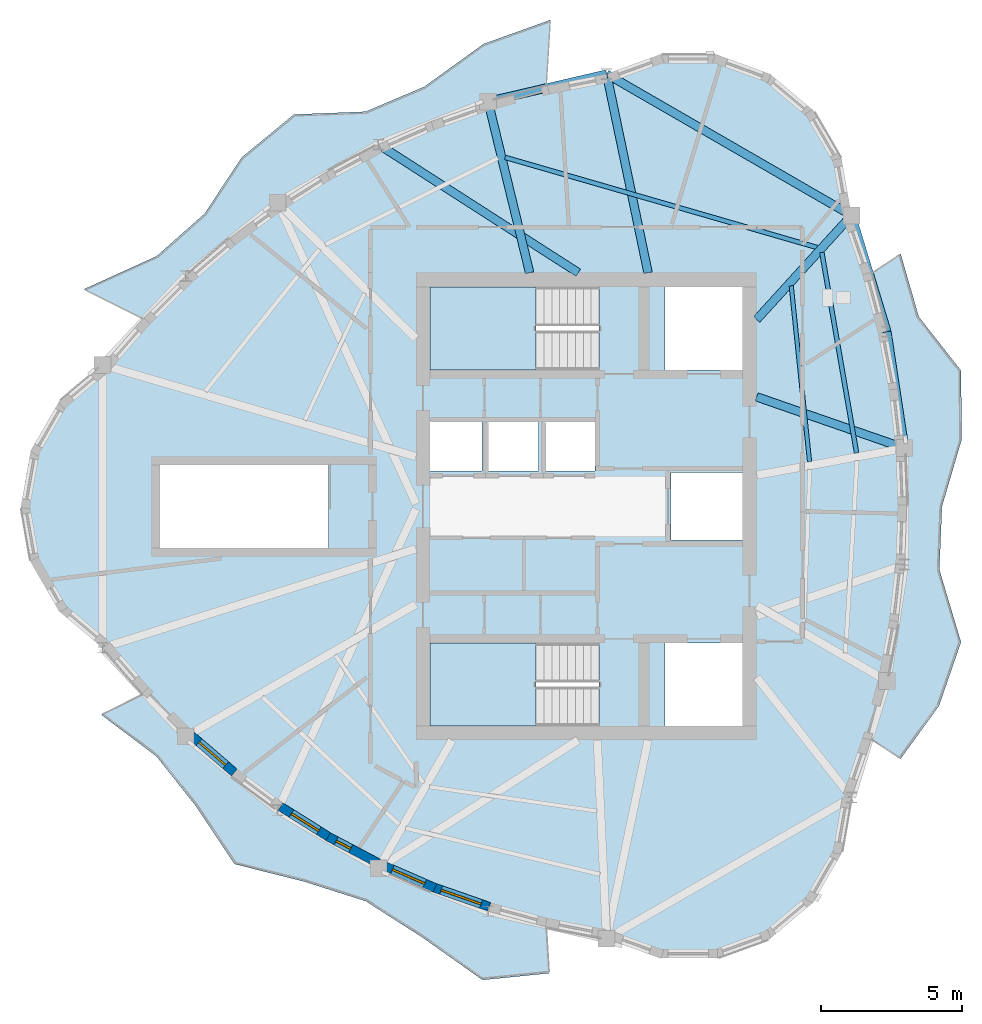
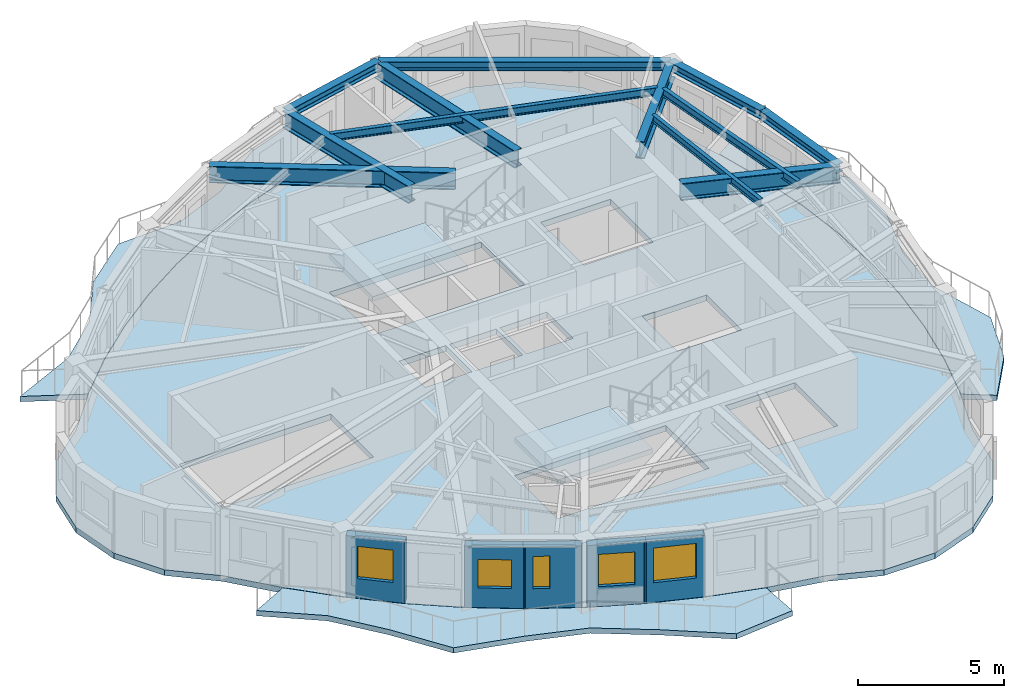
# One storey, part 2 of 12: 12 beams, 6 slabs, 5 walls, 5 windows, 5 openings, 2 elements without a shape of their own.
"""IFC4 building model written with IfcOpenShell, lengths in metres."""

from ifc_helpers import new_model, si_unit, direction, frame, frame_2d, origin, origin_2d, place, context, subcontext, project, spatial, polyline, rectangle, i_section, outline, extrude, source, transform, mapped, material, layer, layer_set, material_profile, profile_set, type_object, element, fill, aggregate, save


model = new_model("IFC4")

# Units and contexts
model_context = context("Model", 3, precision=1e-05, world=origin(), true_north=direction((0.0, 1.0)))
body_context = subcontext(model_context, "Body", "Model", "MODEL_VIEW")
ifc_project = project(units=[si_unit("LENGTHUNIT", "METRE"), si_unit("AREAUNIT", "SQUARE_METRE"), si_unit("VOLUMEUNIT", "CUBIC_METRE"), si_unit("PLANEANGLEUNIT", "RADIAN"), si_unit("MASSUNIT", "GRAM", prefix="KILO")], contexts=[model_context])

# Site, building, storey
site_placement = place(None, origin())
site = spatial("IfcSite", under=ifc_project, at=site_placement, CompositionType="ELEMENT")
building_placement = place(site_placement, origin())
building = spatial("IfcBuilding", under=site, at=building_placement, Name="Qafzar Sky-Pleat Residences", CompositionType="ELEMENT")
storey_placement = place(building_placement, frame((0.0, 0.0, 250.0)))
storey = spatial("IfcBuildingStorey", under=building, at=storey_placement, Name="L75", CompositionType="ELEMENT", Elevation=250.0)

# Beams
ifc_material_1 = material(Name="Steel S355", Category="steel")
ifc_material_profile_1 = material_profile(ifc_material_1, i_section(OverallWidth=0.300048828125, OverallDepth=0.360107421875, WebThickness=0.012451171875, FlangeThickness=0.0224609375, FilletRadius=0.027099609375, at=origin_2d()), Name="HEB 360")
ifc_profile_set_1 = profile_set([ifc_material_profile_1], Name="Steel S355")
beam_type_1 = type_object("IfcBeamType", Name="BM-SPAN-HEB360", PredefinedType="SPANDREL", material=ifc_profile_set_1)
shared_shape_1 = source(origin(), body_context, "Body", "SweptSolid", [
    extrude(i_section(OverallWidth=0.300048828125, OverallDepth=0.360107421875, WebThickness=0.012451171875, FlangeThickness=0.0224609375, FilletRadius=0.027099609375, at=origin_2d()), origin(), (0.0, 0.0, 1.0), 4.181884765625),
])
beam_1_placement = place(storey_placement, frame((41.65283203125, 28.067138671875, 2.76806640625), z_axis=(-0.150267100835, 0.988645436143, 0.0), x_axis=(-0.988645436143, -0.150267100835, 0.0)))
element("IfcBeam", 1, at=beam_1_placement, inside=storey, type_object=beam_type_1, Name="L75 Perimeter Spandrel Beam 11", PredefinedType="SPANDREL", context=body_context, shape_type="MappedRepresentation", body=[
    mapped(shared_shape_1, transform((0.0, 0.0, 0.0), x_axis=(1.0, 0.0, 0.0), y_axis=(0.0, 1.0, 0.0), z_axis=(0.0, 0.0, 1.0), scale=1.0)),
])
shared_shape_2 = source(origin(), body_context, "Body", "SweptSolid", [
    extrude(i_section(OverallWidth=0.300048828125, OverallDepth=0.360107421875, WebThickness=0.012451171875, FlangeThickness=0.0224609375, FilletRadius=0.027099609375, at=origin_2d()), origin(), (0.0, 0.0, 1.0), 4.321044921875),
])
for number, where, z_axis, x_axis, name in (
    (2, (41.0244140625, 32.20166015625, 2.76806640625), (-0.290860334904, 0.956765522779, 0.0), (-0.956765522779, -0.290860334904, 0.0), "L75 Perimeter Spandrel Beam 12"),
    (3, (31.0673828125, 41.35888671875, 2.76806640625), (-0.974008896714, -0.226509755028, 0.0), (0.226509755028, -0.974008896714, 0.0), "L75 Perimeter Spandrel Beam 14"),
):
    element("IfcBeam", number, at=place(storey_placement, frame(where, z_axis=z_axis, x_axis=x_axis)), inside=storey, type_object=beam_type_1, Name=name, PredefinedType="SPANDREL", context=body_context, shape_type="MappedRepresentation", body=[
        mapped(shared_shape_2, transform((0.0, 0.0, 0.0), x_axis=(1.0, 0.0, 0.0), y_axis=(0.0, 1.0, 0.0), z_axis=(0.0, 0.0, 1.0), scale=1.0)),
    ])
shared_shape_3 = source(origin(), body_context, "Body", "SweptSolid", [
    extrude(i_section(OverallWidth=0.300048828125, OverallDepth=0.360107421875, WebThickness=0.012451171875, FlangeThickness=0.0224609375, FilletRadius=0.027099609375, at=origin_2d()), origin(), (0.0, 0.0, 1.0), 10.046142578125),
])
beam_2_placement = place(storey_placement, frame((39.767578125, 36.3359375, 2.76806640625), z_axis=(-0.866030183273, 0.499991721592, 0.0), x_axis=(-0.499991721592, -0.866030183273, 0.0)))
element("IfcBeam", 4, at=beam_2_placement, inside=storey, type_object=beam_type_1, Name="L75 Perimeter Spandrel Beam 13", PredefinedType="SPANDREL", context=body_context, shape_type="MappedRepresentation", body=[
    mapped(shared_shape_3, transform((0.0, 0.0, 0.0), x_axis=(1.0, 0.0, 0.0), y_axis=(0.0, 1.0, 0.0), z_axis=(0.0, 0.0, 1.0), scale=1.0)),
])
ifc_material_profile_2 = material_profile(ifc_material_1, i_section(OverallWidth=0.159912109375, OverallDepth=0.330078125, WebThickness=0.007568359375, FlangeThickness=0.011474609375, FilletRadius=0.01806640625, at=origin_2d()), Name="IPE 330")
ifc_profile_set_2 = profile_set([ifc_material_profile_2], Name="Steel S355")
beam_type_2 = type_object("IfcBeamType", Name="BM-JST-IPE330", PredefinedType="JOIST", material=ifc_profile_set_2)
shared_shape_4 = source(origin(), body_context, "Body", "SweptSolid", [
    extrude(i_section(OverallWidth=0.159912109375, OverallDepth=0.330078125, WebThickness=0.007568359375, FlangeThickness=0.011474609375, FilletRadius=0.01806640625, at=origin_2d()), origin(), (0.0, 0.0, 1.0), 7.23388671875),
])
beam_3_placement = place(storey_placement, frame((39.94873046875, 27.892822265625, 2.782958984375), z_axis=(-0.170842643225, 0.985298326019, 0.0), x_axis=(-0.985298326019, -0.170842643225, 0.0)))
element("IfcBeam", 5, at=beam_3_placement, inside=storey, type_object=beam_type_2, Name="L75 Outer Secondary Floor Joist 6", PredefinedType="JOIST", context=body_context, shape_type="MappedRepresentation", body=[
    mapped(shared_shape_4, transform((0.0, 0.0, 0.0), x_axis=(1.0, 0.0, 0.0), y_axis=(0.0, 1.0, 0.0), z_axis=(0.0, 0.0, 1.0), scale=1.0)),
])
shared_shape_5 = source(origin(), body_context, "Body", "SweptSolid", [
    extrude(i_section(OverallWidth=0.159912109375, OverallDepth=0.330078125, WebThickness=0.007568359375, FlangeThickness=0.011474609375, FilletRadius=0.01806640625, at=origin_2d()), origin(), (0.0, 0.0, 1.0), 11.553466796875),
])
beam_4_placement = place(storey_placement, frame((38.560302734375, 35.19091796875, 2.782958984375), z_axis=(-0.960720067454, 0.277519282198, 0.0), x_axis=(-0.277519282198, -0.960720067454, 0.0)))
element("IfcBeam", 6, at=beam_4_placement, inside=storey, type_object=beam_type_2, Name="L75 Outer Secondary Floor Joist 7", PredefinedType="JOIST", context=body_context, shape_type="MappedRepresentation", body=[
    mapped(shared_shape_5, transform((0.0, 0.0, 0.0), x_axis=(1.0, 0.0, 0.0), y_axis=(0.0, 1.0, 0.0), z_axis=(0.0, 0.0, 1.0), scale=1.0)),
])
ifc_material_profile_3 = material_profile(ifc_material_1, i_section(OverallWidth=0.14990234375, OverallDepth=0.300048828125, WebThickness=0.007080078125, FlangeThickness=0.0107421875, FilletRadius=0.014892578125, at=origin_2d()), Name="IPE 300")
ifc_profile_set_3 = profile_set([ifc_material_profile_3], Name="Steel S355")
beam_type_3 = type_object("IfcBeamType", Name="BM-JST-IPE300", PredefinedType="JOIST", material=ifc_profile_set_3)
shared_shape_6 = source(origin(), body_context, "Body", "SweptSolid", [
    extrude(i_section(OverallWidth=0.14990234375, OverallDepth=0.300048828125, WebThickness=0.007080078125, FlangeThickness=0.0107421875, FilletRadius=0.014892578125, at=origin_2d()), origin(), (0.0, 0.0, 1.0), 6.283203125),
])
beam_5_placement = place(storey_placement, frame((38.277099609375, 27.586669921875, 2.798095703125), z_axis=(-0.103588466686, 0.994620243897, 0.0), x_axis=(-0.994620243897, -0.103588466686, 0.0)))
element("IfcBeam", 7, at=beam_5_placement, inside=storey, type_object=beam_type_3, Name="L75 Inner Secondary Floor Joist 6", PredefinedType="JOIST", context=body_context, shape_type="MappedRepresentation", body=[
    mapped(shared_shape_6, transform((0.0, 0.0, 0.0), x_axis=(1.0, 0.0, 0.0), y_axis=(0.0, 1.0, 0.0), z_axis=(0.0, 0.0, 1.0), scale=1.0)),
])
ifc_material_2 = material(Name="Steel S460", Category="steel")
ifc_material_profile_4 = material_profile(ifc_material_2, i_section(OverallWidth=0.300048828125, OverallDepth=0.699951171875, WebThickness=0.01708984375, FlangeThickness=0.031982421875, FilletRadius=0.027099609375, at=origin_2d()), Name="HEB 700")
ifc_profile_set_4 = profile_set([ifc_material_profile_4], Name="Steel S460")
beam_type_4 = type_object("IfcBeamType", Name="BM-CHORD-HEB700", PredefinedType="BEAM", material=ifc_profile_set_4)
shared_shape_7 = source(origin(), body_context, "Body", "SweptSolid", [
    extrude(i_section(OverallWidth=0.300048828125, OverallDepth=0.699951171875, WebThickness=0.01708984375, FlangeThickness=0.031982421875, FilletRadius=0.027099609375, at=origin_2d()), origin(), (0.0, 0.0, 1.0), 5.0),
])
beam_6_placement = place(storey_placement, frame((39.767578125, 36.3359375, 2.597900390625), z_axis=(-0.673532683281, -0.73915744233, 0.0), x_axis=(0.73915744233, -0.673532683281, 0.0)))
element("IfcBeam", 8, at=beam_6_placement, inside=storey, type_object=beam_type_4, Name="L75 Radial Floor Girder 13", PredefinedType="BEAM", context=body_context, shape_type="MappedRepresentation", body=[
    mapped(shared_shape_7, transform((0.0, 0.0, 0.0), x_axis=(1.0, 0.0, 0.0), y_axis=(0.0, 1.0, 0.0), z_axis=(0.0, 0.0, 1.0), scale=1.0)),
])
shared_shape_8 = source(origin(), body_context, "Body", "SweptSolid", [
    extrude(i_section(OverallWidth=0.300048828125, OverallDepth=0.699951171875, WebThickness=0.01708984375, FlangeThickness=0.031982421875, FilletRadius=0.027099609375, at=origin_2d()), origin(), (0.0, 0.0, 1.0), 6.256591796875),
])
beam_7_placement = place(storey_placement, frame((26.858642578125, 40.380126953125, 2.597900390625), z_axis=(0.235919421211, -0.971772620882, 0.0), x_axis=(0.971772620882, 0.235919421211, 0.0)))
element("IfcBeam", 9, at=beam_7_placement, inside=storey, type_object=beam_type_4, Name="L75 Radial Floor Girder 15", PredefinedType="BEAM", context=body_context, shape_type="MappedRepresentation", body=[
    mapped(shared_shape_8, transform((0.0, 0.0, 0.0), x_axis=(1.0, 0.0, 0.0), y_axis=(0.0, 1.0, 0.0), z_axis=(0.0, 0.0, 1.0), scale=1.0)),
])
shared_shape_9 = source(origin(), body_context, "Body", "SweptSolid", [
    extrude(i_section(OverallWidth=0.300048828125, OverallDepth=0.699951171875, WebThickness=0.01708984375, FlangeThickness=0.031982421875, FilletRadius=0.027099609375, at=origin_2d()), origin(), (0.0, 0.0, 1.0), 8.435546875),
])
beam_8_placement = place(storey_placement, frame((22.9638671875, 38.857421875, 2.597900390625), z_axis=(0.841503680154, -0.540251382495, 0.0), x_axis=(0.540251382495, 0.841503680154, 0.0)))
element("IfcBeam", 10, at=beam_8_placement, inside=storey, type_object=beam_type_4, Name="L76 Crown Crown Rib Base Transfer Beam 11", PredefinedType="BEAM", context=body_context, shape_type="MappedRepresentation", body=[
    mapped(shared_shape_9, transform((0.0, 0.0, 0.0), x_axis=(1.0, 0.0, 0.0), y_axis=(0.0, 1.0, 0.0), z_axis=(0.0, 0.0, 1.0), scale=1.0)),
])
shared_shape_10 = source(origin(), body_context, "Body", "SweptSolid", [
    extrude(i_section(OverallWidth=0.300048828125, OverallDepth=0.699951171875, WebThickness=0.01708984375, FlangeThickness=0.031982421875, FilletRadius=0.027099609375, at=origin_2d()), origin(), (0.0, 0.0, 1.0), 7.211181640625),
])
beam_9_placement = place(storey_placement, frame((31.0673828125, 41.35888671875, 2.597900390625), z_axis=(0.204423372011, -0.978882569553, 0.0), x_axis=(0.978882569553, 0.204423372011, 0.0)))
element("IfcBeam", 11, at=beam_9_placement, inside=storey, type_object=beam_type_4, Name="L76 Crown Crown Rib Base Transfer Beam 10", PredefinedType="BEAM", context=body_context, shape_type="MappedRepresentation", body=[
    mapped(shared_shape_10, transform((0.0, 0.0, 0.0), x_axis=(1.0, 0.0, 0.0), y_axis=(0.0, 1.0, 0.0), z_axis=(0.0, 0.0, 1.0), scale=1.0)),
])
shared_shape_11 = source(origin(), body_context, "Body", "SweptSolid", [
    extrude(i_section(OverallWidth=0.300048828125, OverallDepth=0.699951171875, WebThickness=0.01708984375, FlangeThickness=0.031982421875, FilletRadius=0.027099609375, at=origin_2d()), origin(), (0.0, 0.0, 1.0), 5.560302734375),
])
beam_10_placement = place(storey_placement, frame((41.65283203125, 28.067138671875, 2.597900390625), z_axis=(-0.944739406244, 0.327822290715, 0.0), x_axis=(-0.327822290715, -0.944739406244, 0.0)))
element("IfcBeam", 12, at=beam_10_placement, inside=storey, type_object=beam_type_4, Name="L76 Crown Crown Rib Base Transfer Beam 8", PredefinedType="BEAM", context=body_context, shape_type="MappedRepresentation", body=[
    mapped(shared_shape_11, transform((0.0, 0.0, 0.0), x_axis=(1.0, 0.0, 0.0), y_axis=(0.0, 1.0, 0.0), z_axis=(0.0, 0.0, 1.0), scale=1.0)),
])

# Slabs
ifc_material_3 = material(Name="Concrete C40/50", Category="concrete")
ifc_layer_1 = layer(ifc_material_3, 0.219970703125)
ifc_layer_set_1 = layer_set([ifc_layer_1], Name="Concrete C40/50")
slab_type_1 = type_object("IfcSlabType", Name="SLAB-BAL-220", PredefinedType="USERDEFINED", material=ifc_layer_set_1)
slab_1_placement = place(storey_placement, frame((0.0, 0.0, -0.219970703125)))
element("IfcSlab", 13, at=slab_1_placement, inside=storey, type_object=slab_type_1, Name="L75 Pleated Stone Balcony 1", ObjectType="BALCONY", PredefinedType="USERDEFINED", context=body_context, shape_type="SweptSolid", body=[
    extrude(outline(polyline([(41.03515625, 19.793212890625), (41.4287109375, 21.862060546875), (41.664794921875, 23.930908203125), (41.743408203125, 26.0), (41.664794921875, 28.069091796875), (41.4287109375, 30.137939453125), (41.03515625, 32.206787109375), (40.484619140625, 34.275390625), (41.516357421875, 34.95947265625), (42.153076171875, 32.739013671875), (43.656005859375, 30.82421875), (43.6796875, 28.3740234375), (42.981201171875, 26.0), (42.888671875, 23.74560546875), (43.656005859375, 21.17578125), (42.875244140625, 18.9169921875), (41.516357421875, 17.04052734375), (40.484619140625, 17.724609375), (41.03515625, 19.793212890625)])), origin(), (0.0, 0.0, 1.0), 0.219970703125),
])
slab_2_placement = place(storey_placement, frame((0.0, 0.0, -0.219970703125)))
element("IfcSlab", 14, at=slab_2_placement, inside=storey, type_object=slab_type_1, Name="L75 Pleated Stone Balcony 2", ObjectType="BALCONY", PredefinedType="USERDEFINED", context=body_context, shape_type="SweptSolid", body=[
    extrude(outline(polyline([(26.857666015625, 40.39208984375), (24.869140625, 39.698486328125), (22.95947265625, 38.868408203125), (21.12841796875, 37.902099609375), (19.3759765625, 36.799560546875), (17.7021484375, 35.560546875), (16.107177734375, 34.185302734375), (14.591064453125, 32.674072265625), (12.50439453125, 33.712646484375), (15.08740234375, 34.88720703125), (16.794921875, 36.40283203125), (18.104248046875, 38.39208984375), (19.962890625, 39.920654296875), (22.508056640625, 40.021240234375), (24.593505859375, 40.905517578125), (26.6962890625, 42.423828125), (29.068359375, 43.27587890625), (28.924560546875, 40.94970703125), (26.857666015625, 40.39208984375)])), origin(), (0.0, 0.0, 1.0), 0.219970703125),
])
slab_3_placement = place(storey_placement, frame((0.0, 0.0, -0.219970703125)))
element("IfcSlab", 15, at=slab_3_placement, inside=storey, type_object=slab_type_1, Name="L75 Pleated Stone Balcony 3", ObjectType="BALCONY", PredefinedType="USERDEFINED", context=body_context, shape_type="SweptSolid", body=[
    extrude(outline(polyline([(16.107177734375, 17.814697265625), (17.7021484375, 16.439453125), (19.3759765625, 15.200439453125), (21.12841796875, 14.097900390625), (22.95947265625, 13.131591796875), (24.869140625, 12.301513671875), (26.857666015625, 11.60791015625), (28.924560546875, 11.05029296875), (29.025634765625, 9.41552734375), (26.664794921875, 9.177490234375), (24.50439453125, 10.70458984375), (22.508056640625, 11.978759765625), (20.309326171875, 12.679443359375), (17.8544921875, 13.29541015625), (16.501708984375, 15.324951171875), (15.08740234375, 17.11279296875), (13.124755859375, 18.595947265625), (14.591064453125, 19.325927734375), (16.107177734375, 17.814697265625)])), origin(), (0.0, 0.0, 1.0), 0.219970703125),
])
ifc_layer_2 = layer(ifc_material_3, 0.239990234375)
ifc_layer_set_2 = layer_set([ifc_layer_2], Name="Concrete C40/50")
slab_type_2 = type_object("IfcSlabType", Name="SLAB-FLR-240", PredefinedType="FLOOR", material=ifc_layer_set_2)
slab_4_placement = place(storey_placement, frame((0.0, 0.0, -0.239990234375)))
element("IfcSlab", 16, at=slab_4_placement, inside=storey, type_object=slab_type_2, Name="L75 Structural Floor Slab", PredefinedType="FLOOR", context=body_context, shape_type="SweptSolid", body=[
    extrude(outline(polyline([(13.1650390625, 31.02294921875), (11.621826171875, 29.728271484375), (10.61474609375, 27.983642578125), (10.264892578125, 26.0), (10.61474609375, 24.016357421875), (11.621826171875, 22.271728515625), (13.1650390625, 20.97705078125), (14.601806640625, 19.331298828125), (16.1171875, 17.8212890625), (17.7109375, 16.447509765625), (19.38330078125, 15.2099609375), (21.13427734375, 14.1083984375), (22.9638671875, 13.142578125), (24.871826171875, 12.313232421875), (26.858642578125, 11.619873046875), (28.923828125, 11.0625), (31.0673828125, 10.64111328125), (32.960205078125, 9.9521484375), (34.974609375, 9.9521484375), (36.867431640625, 10.64111328125), (38.41064453125, 11.935791015625), (39.417724609375, 13.680419921875), (39.767578125, 15.6640625), (40.474609375, 17.731201171875), (41.0244140625, 19.79833984375), (41.4169921875, 21.865478515625), (41.65283203125, 23.932861328125), (41.731201171875, 26.0), (41.65283203125, 28.067138671875), (41.4169921875, 30.134521484375), (41.0244140625, 32.20166015625), (40.474609375, 34.268798828125), (39.767578125, 36.3359375), (39.417724609375, 38.319580078125), (38.41064453125, 40.064208984375), (36.867431640625, 41.35888671875), (34.974609375, 42.0478515625), (32.960205078125, 42.0478515625), (31.0673828125, 41.35888671875), (28.923828125, 40.9375), (26.858642578125, 40.380126953125), (24.871826171875, 39.686767578125), (22.9638671875, 38.857421875), (21.13427734375, 37.8916015625), (19.38330078125, 36.7900390625), (17.7109375, 35.552490234375), (16.1171875, 34.1787109375), (14.601806640625, 32.668701171875), (13.1650390625, 31.02294921875)]), holes=[polyline([(30.797119140625, 21.14990234375), (24.800048828125, 21.14990234375), (24.800048828125, 18.199951171875), (30.797119140625, 18.199951171875), (30.797119140625, 21.14990234375)]), polyline([(30.797119140625, 33.800048828125), (24.800048828125, 33.800048828125), (24.800048828125, 30.85009765625), (30.797119140625, 30.85009765625), (30.797119140625, 33.800048828125)]), polyline([(21.197021484375, 27.47509765625), (15.199951171875, 27.47509765625), (15.199951171875, 24.52490234375), (21.197021484375, 24.52490234375), (21.197021484375, 27.47509765625)]), polyline([(24.800048828125, 27.25), (26.64990234375, 27.25), (26.64990234375, 29.050048828125), (24.800048828125, 29.050048828125), (24.800048828125, 27.25)]), polyline([(26.800048828125, 27.25), (28.64990234375, 27.25), (28.64990234375, 29.050048828125), (26.800048828125, 29.050048828125), (26.800048828125, 27.25)]), polyline([(28.800048828125, 27.25), (30.64990234375, 27.25), (30.64990234375, 29.050048828125), (28.800048828125, 29.050048828125), (28.800048828125, 27.25)]), polyline([(33.14990234375, 18.199951171875), (35.89990234375, 18.199951171875), (35.89990234375, 21.14990234375), (33.14990234375, 21.14990234375), (33.14990234375, 18.199951171875)]), polyline([(33.14990234375, 30.85009765625), (35.89990234375, 30.85009765625), (35.89990234375, 33.800048828125), (33.14990234375, 33.800048828125), (33.14990234375, 30.85009765625)]), polyline([(33.35009765625, 24.800048828125), (35.89990234375, 24.800048828125), (35.89990234375, 27.199951171875), (33.35009765625, 27.199951171875), (33.35009765625, 24.800048828125)])]), origin(), (0.0, 0.0, 1.0), 0.239990234375),
])

# Stair, slab
stair_type = type_object("IfcStairType", Name="STAIR-H320", PredefinedType="HALF_TURN_STAIR", material=ifc_material_3)
stair_1_placement = place(storey_placement, origin())
stair_1 = element("IfcStair", 17, at=stair_1_placement, inside=storey, type_object=stair_type, Name="L75 Protected Exit Stair ST1", PredefinedType="HALF_TURN_STAIR")
ifc_layer_3 = layer(ifc_material_3, 0.199951171875)
ifc_layer_set_3 = layer_set([ifc_layer_3], Name="Concrete C40/50")
slab_type_3 = type_object("IfcSlabType", Name="SLAB-LANDING-200", PredefinedType="LANDING", material=ifc_layer_set_3)
slab_5_placement = place(storey_placement, frame((0.0, 0.0, 1.39990234375)))
slab_5 = element("IfcSlab", 18, at=slab_5_placement, type_object=slab_type_3, Name="ST1 landing 1", PredefinedType="LANDING", context=body_context, shape_type="SweptSolid", body=[
    extrude(outline(polyline([(28.56005859375, 21.14990234375), (24.800048828125, 21.14990234375), (24.800048828125, 18.199951171875), (28.56005859375, 18.199951171875), (28.56005859375, 21.14990234375)])), origin(), (0.0, 0.0, 1.0), 0.2001953125),
])
aggregate(stair_1, [slab_5])

stair_2_placement = place(storey_placement, origin())
stair_2 = element("IfcStair", 19, at=stair_2_placement, inside=storey, type_object=stair_type, Name="L75 Protected Exit Stair ST2", PredefinedType="HALF_TURN_STAIR")
slab_6_placement = place(storey_placement, frame((0.0, 0.0, 1.39990234375)))
slab_6 = element("IfcSlab", 20, at=slab_6_placement, type_object=slab_type_3, Name="ST2 landing 1", PredefinedType="LANDING", context=body_context, shape_type="SweptSolid", body=[
    extrude(outline(polyline([(28.56005859375, 33.800048828125), (24.800048828125, 33.800048828125), (24.800048828125, 30.85009765625), (28.56005859375, 30.85009765625), (28.56005859375, 33.800048828125)])), origin(), (0.0, 0.0, 1.0), 0.2001953125),
])
aggregate(stair_2, [slab_6])

# Wall, opening, window
ifc_material_4 = material(Name="Precast concrete C40/50 with honed Riyadh limestone", Category="concrete")
ifc_layer_4 = layer(ifc_material_4, 0.320068359375)
ifc_layer_set_4 = layer_set([ifc_layer_4], Name="Precast concrete C40/50 with honed Riyadh limestone")
wall_type = type_object("IfcWallType", Name="WALL-EXT-320", PredefinedType="SOLIDWALL", material=ifc_layer_set_4)
wall_1_placement = place(storey_placement, frame((16.289794921875, 17.8837890625, 0.0), z_axis=(0.0, 0.0, 1.0), x_axis=(0.757405903716, -0.652944329186, 0.0)))
wall_1 = element("IfcWall", 21, at=wall_1_placement, inside=storey, type_object=wall_type, Name="L75 Limestone Facade Wall 9", PredefinedType="SOLIDWALL", context=body_context, shape_type="SweptSolid", body=[
    extrude(rectangle(XDim=2.052001953125, YDim=0.320068359375, at=frame_2d((1.02587890625, 0.0))), origin(), (0.0, 0.0, 1.0), 2.570068359375),
])
opening_1_placement = place(wall_1_placement, frame((0.39599609375, 0.0, 0.820068359375)))
opening_1 = element("IfcOpeningElement", 22, at=opening_1_placement, cuts=wall_1, Name="Opening WN-11", PredefinedType="OPENING", context=body_context, shape_type="SweptSolid", body=[
    extrude(rectangle(XDim=1.25, YDim=1.35009765625, at=frame_2d((0.625, 0.675048828125))), frame((0.0, 0.169921875, 0.0), z_axis=(0.0, -1.0, 0.0), x_axis=(1.0, 0.0, 0.0)), (0.0, 0.0, 1.0), 0.340087890625),
])
ifc_material_5 = material(Name="Solar-control low-E glass in bronze aluminium frame", Category="glass")
window_type_1 = type_object("IfcWindowType", Name="WIN-11", PartitioningType="SINGLE_PANEL", PredefinedType="WINDOW", material=ifc_material_5)
shared_shape_12 = source(origin(), body_context, "Body", "SweptSolid", [
    extrude(rectangle(XDim=1.25, YDim=1.35009765625, at=frame_2d((0.625, 0.675048828125))), frame((0.0, 0.030029296875, 0.0), z_axis=(0.0, -1.0, 0.0), x_axis=(1.0, 0.0, 0.0)), (0.0, 0.0, 1.0), 0.06005859375),
])
window_1_placement = place(opening_1_placement, origin())
window_1 = element("IfcWindow", 23, at=window_1_placement, inside=storey, type_object=window_type_1, Name="L75 Punched Facade Window 09", OverallHeight=1.35009765625, OverallWidth=1.25, PartitioningType="SINGLE_PANEL", PredefinedType="WINDOW", context=body_context, shape_type="MappedRepresentation", body=[
    mapped(shared_shape_12, transform((0.0, 0.0, 0.0), x_axis=(1.0, 0.0, 0.0), y_axis=(0.0, 1.0, 0.0), z_axis=(0.0, 0.0, 1.0), scale=1.0)),
])
fill(opening_1, window_1)

wall_2_placement = place(storey_placement, frame((19.485595703125, 15.334716796875, 0.0), z_axis=(0.0, 0.0, 1.0), x_axis=(0.846377392327, -0.532583617621, 0.0)))
wall_2 = element("IfcWall", 24, at=wall_2_placement, inside=storey, type_object=wall_type, Name="L75 Limestone Facade Wall 11", PredefinedType="SOLIDWALL", context=body_context, shape_type="SweptSolid", body=[
    extrude(rectangle(XDim=2.086669921875, YDim=0.320068359375, at=frame_2d((1.04345703125, 0.0))), origin(), (0.0, 0.0, 1.0), 2.570068359375),
])
opening_2_placement = place(wall_2_placement, frame((0.458251953125, 0.0, 0.820068359375)))
opening_2 = element("IfcOpeningElement", 25, at=opening_2_placement, cuts=wall_2, Name="Opening WN-16", PredefinedType="OPENING", context=body_context, shape_type="SweptSolid", body=[
    extrude(rectangle(XDim=1.14990234375, YDim=1.199951171875, at=frame_2d((0.574951171875, 0.60009765625))), frame((0.0, 0.169921875, 0.0), z_axis=(0.0, -1.0, 0.0), x_axis=(1.0, 0.0, 0.0)), (0.0, 0.0, 1.0), 0.340087890625),
])
window_type_2 = type_object("IfcWindowType", Name="WIN-16", PartitioningType="SINGLE_PANEL", PredefinedType="WINDOW", material=ifc_material_5)
shared_shape_13 = source(origin(), body_context, "Body", "SweptSolid", [
    extrude(rectangle(XDim=1.14990234375, YDim=1.199951171875, at=frame_2d((0.574951171875, 0.60009765625))), frame((0.0, 0.030029296875, 0.0), z_axis=(0.0, -1.0, 0.0), x_axis=(1.0, 0.0, 0.0)), (0.0, 0.0, 1.0), 0.06005859375),
])
window_2_placement = place(opening_2_placement, origin())
window_2 = element("IfcWindow", 26, at=window_2_placement, inside=storey, type_object=window_type_2, Name="L75 Punched Facade Window 11", OverallHeight=1.199951171875, OverallWidth=1.14990234375, PartitioningType="SINGLE_PANEL", PredefinedType="WINDOW", context=body_context, shape_type="MappedRepresentation", body=[
    mapped(shared_shape_13, transform((0.0, 0.0, 0.0), x_axis=(1.0, 0.0, 0.0), y_axis=(0.0, 1.0, 0.0), z_axis=(0.0, 0.0, 1.0), scale=1.0)),
])
fill(opening_2, window_2)

wall_3_placement = place(storey_placement, frame((21.17529296875, 14.267578125, 0.0), z_axis=(0.0, 0.0, 1.0), x_axis=(0.88438197682, -0.466763879362, 0.0)))
wall_3 = element("IfcWall", 27, at=wall_3_placement, inside=storey, type_object=wall_type, Name="L75 Limestone Facade Wall 12", PredefinedType="SOLIDWALL", context=body_context, shape_type="SweptSolid", body=[
    extrude(rectangle(XDim=2.016845703125, YDim=0.320068359375, at=frame_2d((1.00830078125, 0.0))), origin(), (0.0, 0.0, 1.0), 2.570068359375),
])
opening_3_placement = place(wall_3_placement, frame((0.327392578125, 0.0, 0.820068359375)))
opening_3 = element("IfcOpeningElement", 28, at=opening_3_placement, cuts=wall_3, Name="Opening WN-17", PredefinedType="OPENING", context=body_context, shape_type="SweptSolid", body=[
    extrude(rectangle(XDim=0.580078125, YDim=1.35009765625, at=frame_2d((0.2900390625, 0.675048828125))), frame((0.0, 0.169921875, 0.0), z_axis=(0.0, -1.0, 0.0), x_axis=(1.0, 0.0, 0.0)), (0.0, 0.0, 1.0), 0.340087890625),
])
window_type_3 = type_object("IfcWindowType", Name="WIN-17", PartitioningType="SINGLE_PANEL", PredefinedType="WINDOW", material=ifc_material_5)
shared_shape_14 = source(origin(), body_context, "Body", "SweptSolid", [
    extrude(rectangle(XDim=0.580078125, YDim=1.35009765625, at=frame_2d((0.2900390625, 0.675048828125))), frame((0.0, 0.030029296875, 0.0), z_axis=(0.0, -1.0, 0.0), x_axis=(1.0, 0.0, 0.0)), (0.0, 0.0, 1.0), 0.06005859375),
])
window_3_placement = place(opening_3_placement, origin())
window_3 = element("IfcWindow", 29, at=window_3_placement, inside=storey, type_object=window_type_3, Name="L75 Punched Facade Window 12", OverallHeight=1.35009765625, OverallWidth=0.580078125, PartitioningType="SINGLE_PANEL", PredefinedType="WINDOW", context=body_context, shape_type="MappedRepresentation", body=[
    mapped(shared_shape_14, transform((0.0, 0.0, 0.0), x_axis=(1.0, 0.0, 0.0), y_axis=(0.0, 1.0, 0.0), z_axis=(0.0, 0.0, 1.0), scale=1.0)),
])
fill(opening_3, window_3)

wall_4_placement = place(storey_placement, frame((23.110107421875, 13.253662109375, 0.0), z_axis=(0.0, 0.0, 1.0), x_axis=(0.917071969608, -0.398721710671, 0.0)))
wall_4 = element("IfcWall", 30, at=wall_4_placement, inside=storey, type_object=wall_type, Name="L75 Limestone Facade Wall 13", PredefinedType="SOLIDWALL", context=body_context, shape_type="SweptSolid", body=[
    extrude(rectangle(XDim=2.028564453125, YDim=0.320068359375, at=frame_2d((1.01416015625, 0.0))), origin(), (0.0, 0.0, 1.0), 2.570068359375),
])
opening_4_placement = place(wall_4_placement, frame((0.38427734375, 0.0, 0.820068359375)))
opening_4 = element("IfcOpeningElement", 31, at=opening_4_placement, cuts=wall_4, Name="Opening WN-11", PredefinedType="OPENING", context=body_context, shape_type="SweptSolid", body=[
    extrude(rectangle(XDim=1.25, YDim=1.35009765625, at=frame_2d((0.625, 0.675048828125))), frame((0.0, 0.169921875, 0.0), z_axis=(0.0, -1.0, 0.0), x_axis=(1.0, 0.0, 0.0)), (0.0, 0.0, 1.0), 0.340087890625),
])
window_4_placement = place(opening_4_placement, origin())
window_4 = element("IfcWindow", 32, at=window_4_placement, inside=storey, type_object=window_type_1, Name="L75 Punched Facade Window 13", OverallHeight=1.35009765625, OverallWidth=1.25, PartitioningType="SINGLE_PANEL", PredefinedType="WINDOW", context=body_context, shape_type="MappedRepresentation", body=[
    mapped(shared_shape_12, transform((0.0, 0.0, 0.0), x_axis=(1.0, 0.0, 0.0), y_axis=(0.0, 1.0, 0.0), z_axis=(0.0, 0.0, 1.0), scale=1.0)),
])
fill(opening_4, window_4)

wall_5_placement = place(storey_placement, frame((24.888671875, 12.476806640625, 0.0), z_axis=(0.0, 0.0, 1.0), x_axis=(0.944161068915, -0.329484257508, 0.0)))
wall_5 = element("IfcWall", 33, at=wall_5_placement, inside=storey, type_object=wall_type, Name="L75 Limestone Facade Wall 14", PredefinedType="SOLIDWALL", context=body_context, shape_type="SweptSolid", body=[
    extrude(rectangle(XDim=2.1220703125, YDim=0.320068359375, at=frame_2d((1.06103515625, 0.0))), origin(), (0.0, 0.0, 1.0), 2.570068359375),
])
opening_5_placement = place(wall_5_placement, frame((0.321044921875, 0.0, 0.820068359375)))
opening_5 = element("IfcOpeningElement", 34, at=opening_5_placement, cuts=wall_5, Name="Opening WN-03", PredefinedType="OPENING", context=body_context, shape_type="SweptSolid", body=[
    extrude(rectangle(XDim=1.5, YDim=1.449951171875, at=frame_2d((0.75, 0.72509765625))), frame((0.0, 0.169921875, 0.0), z_axis=(0.0, -1.0, 0.0), x_axis=(1.0, 0.0, 0.0)), (0.0, 0.0, 1.0), 0.340087890625),
])
window_type_4 = type_object("IfcWindowType", Name="WIN-03", PartitioningType="DOUBLE_PANEL_VERTICAL", PredefinedType="WINDOW", material=ifc_material_5)
shared_shape_15 = source(origin(), body_context, "Body", "SweptSolid", [
    extrude(rectangle(XDim=1.5, YDim=1.449951171875, at=frame_2d((0.75, 0.72509765625))), frame((0.0, 0.030029296875, 0.0), z_axis=(0.0, -1.0, 0.0), x_axis=(1.0, 0.0, 0.0)), (0.0, 0.0, 1.0), 0.06005859375),
])
window_5_placement = place(opening_5_placement, origin())
window_5 = element("IfcWindow", 35, at=window_5_placement, inside=storey, type_object=window_type_4, Name="L75 Punched Facade Window 14", OverallHeight=1.449951171875, OverallWidth=1.5, PartitioningType="SINGLE_PANEL", PredefinedType="WINDOW", context=body_context, shape_type="MappedRepresentation", body=[
    mapped(shared_shape_15, transform((0.0, 0.0, 0.0), x_axis=(1.0, 0.0, 0.0), y_axis=(0.0, 1.0, 0.0), z_axis=(0.0, 0.0, 1.0), scale=1.0)),
])
fill(opening_5, window_5)

save(model, "model.ifc")
